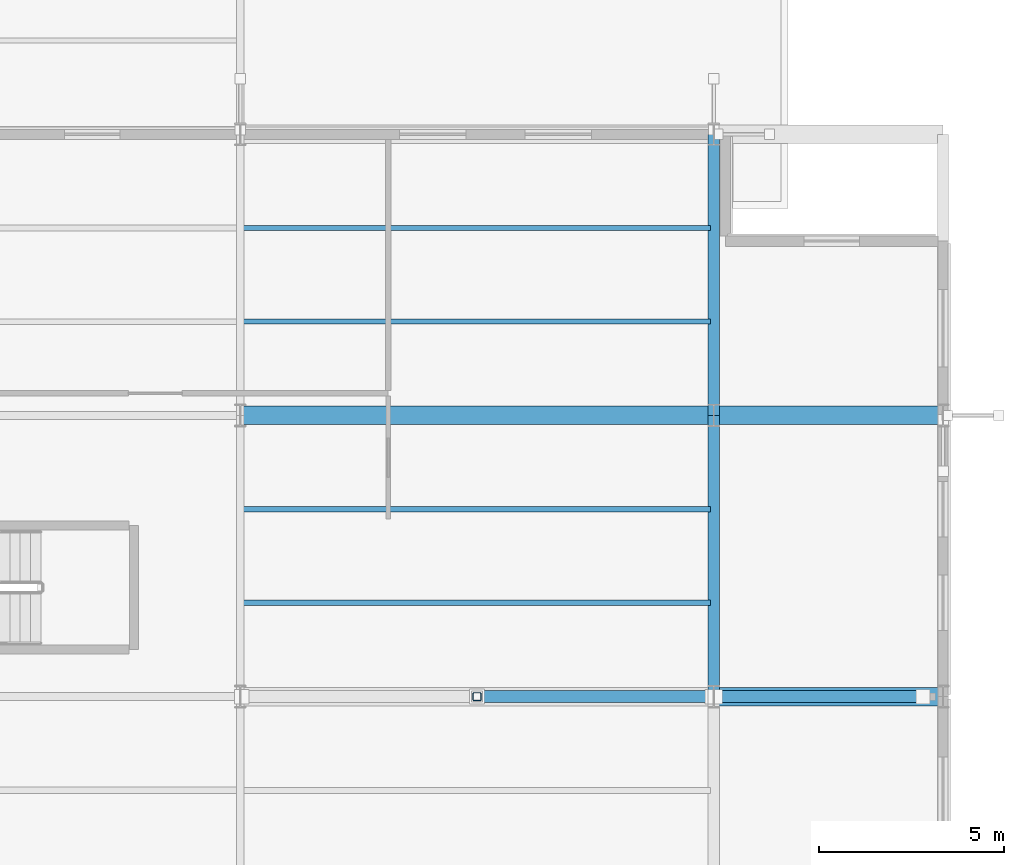
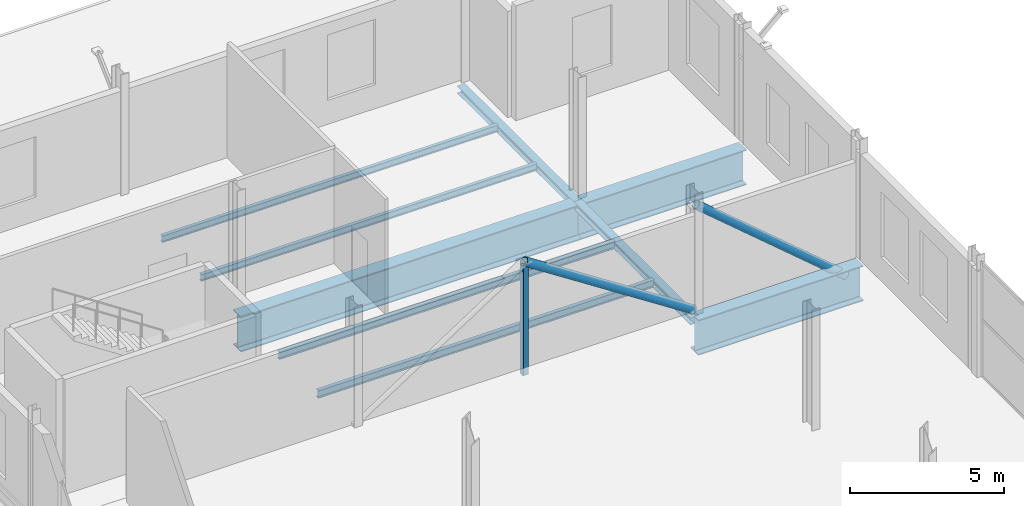
# One storey, part 73 of 120: 9 beams, 3 members.
"""IFC4 building model written with IfcOpenShell, lengths in metres."""

from ifc_helpers import new_model, si_unit, direction, frame, origin, origin_2d, place, context, subcontext, project, spatial, hollow_rectangle, hollow_circle, i_section, extrude, material, material_profile, profile_set, type_object, element, save


model = new_model("IFC4")

# Units and contexts
model_context = context("Model", 3, precision=1e-05, world=origin(), true_north=direction((0.0, 1.0)))
body_context = subcontext(model_context, "Body", "Model", "MODEL_VIEW")
ifc_project = project(units=[si_unit("LENGTHUNIT", "METRE"), si_unit("AREAUNIT", "SQUARE_METRE"), si_unit("VOLUMEUNIT", "CUBIC_METRE"), si_unit("PLANEANGLEUNIT", "RADIAN"), si_unit("MASSUNIT", "GRAM", prefix="KILO")], contexts=[model_context])

# Site, building, storey
site_placement = place(None, origin())
site = spatial("IfcSite", under=ifc_project, at=site_placement, CompositionType="ELEMENT")
building_placement = place(site_placement, origin())
building = spatial("IfcBuilding", under=site, at=building_placement, Name="Vekula Escarpment Museum", CompositionType="ELEMENT")
storey_placement = place(building_placement, frame((0.0, 0.0, 13.199951171875)))
storey = spatial("IfcBuildingStorey", under=building, at=storey_placement, Name="L03", CompositionType="ELEMENT", Elevation=13.199951171875)

# Beams
ifc_material_1 = material(Name="Steel S355", Category="steel")
ifc_material_profile_1 = material_profile(ifc_material_1, i_section(OverallWidth=0.5, OverallDepth=1.39990234375, WebThickness=0.02392578125, FlangeThickness=0.0400390625, FilletRadius=0.02392578125, at=origin_2d()), Name="WPG 1400x500")
ifc_profile_set_1 = profile_set([ifc_material_profile_1], Name="Steel S355")
beam_type_1 = type_object("IfcBeamType", Name="BM-CUMBA-GIRD", PredefinedType="BEAM", material=ifc_profile_set_1)
beam_1_placement = place(storey_placement, frame((179.0, 120.800048828125, -0.97998046875), z_axis=(1.0, 0.0, 0.0), x_axis=(0.0, 1.0, 0.0)))
element("IfcBeam", 1, at=beam_1_placement, inside=storey, type_object=beam_type_1, Name="Beam X L03 1454", PredefinedType="BEAM", context=body_context, shape_type="SweptSolid", body=[
    extrude(i_section(OverallWidth=0.5, OverallDepth=1.39990234375, WebThickness=0.02392578125, FlangeThickness=0.0400390625, FilletRadius=0.02392578125, at=origin_2d()), origin(), (0.0, 0.0, 1.0), 12.800048828125),
])
for number, where, z_axis, x_axis, name in (
    (2, (191.800048828125, 113.199951171875, -0.97998046875), (1.0, 0.0, 0.0), (0.0, 1.0, 0.0), "Cumba Cantilever Transfer Girder L03 2371"),
    (3, (191.800048828125, 120.800048828125, -0.97998046875), (1.0, 0.0, 0.0), (0.0, 1.0, 0.0), "Cumba Cantilever Transfer Girder L03 2372"),
):
    element("IfcBeam", number, at=place(storey_placement, frame(where, z_axis=z_axis, x_axis=x_axis)), inside=storey, type_object=beam_type_1, Name=name, PredefinedType="BEAM", context=body_context, shape_type="SweptSolid", body=[
        extrude(i_section(OverallWidth=0.5, OverallDepth=1.39990234375, WebThickness=0.02392578125, FlangeThickness=0.0400390625, FilletRadius=0.02392578125, at=origin_2d()), origin(), (0.0, 0.0, 1.0), 6.199951171875),
    ])
ifc_material_2 = material(Name="Steel S355", Category="steel")
ifc_material_profile_2 = material_profile(ifc_material_2, i_section(OverallWidth=0.135009765625, OverallDepth=0.27001953125, WebThickness=0.006591796875, FlangeThickness=0.01025390625, FilletRadius=0.014892578125, at=origin_2d()), Name="IPE 270")
ifc_profile_set_2 = profile_set([ifc_material_profile_2], Name="Steel S355")
beam_type_2 = type_object("IfcBeamType", Name="BM-JST-IPE270", PredefinedType="JOIST", material=ifc_profile_set_2)
for number, where, z_axis, x_axis, name in (
    (4, (179.090087890625, 123.333251953125, -0.4150390625), (1.0, 0.0, 0.0), (0.0, 1.0, 0.0), "Secondary Joist L03 1131"),
    (5, (179.090087890625, 125.86669921875, -0.4150390625), (1.0, 0.0, 0.0), (0.0, 1.0, 0.0), "Secondary Joist L03 1132"),
):
    element("IfcBeam", number, at=place(storey_placement, frame(where, z_axis=z_axis, x_axis=x_axis)), inside=storey, type_object=beam_type_2, Name=name, PredefinedType="JOIST", context=body_context, shape_type="SweptSolid", body=[
        extrude(i_section(OverallWidth=0.135009765625, OverallDepth=0.27001953125, WebThickness=0.006591796875, FlangeThickness=0.01025390625, FilletRadius=0.014892578125, at=origin_2d()), origin(), (0.0, 0.0, 1.0), 12.619873046875),
    ])
ifc_material_3 = material(Name="Steel S355", Category="steel")
ifc_material_profile_3 = material_profile(ifc_material_3, i_section(OverallWidth=0.14990234375, OverallDepth=0.300048828125, WebThickness=0.007080078125, FlangeThickness=0.0107421875, FilletRadius=0.014892578125, at=origin_2d()), Name="IPE 300")
ifc_profile_set_3 = profile_set([ifc_material_profile_3], Name="Steel S355")
beam_type_3 = type_object("IfcBeamType", Name="BM-JST-IPE300", PredefinedType="JOIST", material=ifc_profile_set_3)
for number, where, z_axis, x_axis, name in (
    (6, (179.090087890625, 115.7333984375, -0.429931640625), (1.0, 0.0, 0.0), (0.0, 1.0, 0.0), "Secondary Joist L03 1129"),
    (7, (179.090087890625, 118.2666015625, -0.429931640625), (1.0, 0.0, 0.0), (0.0, 1.0, 0.0), "Secondary Joist L03 1130"),
):
    element("IfcBeam", number, at=place(storey_placement, frame(where, z_axis=z_axis, x_axis=x_axis)), inside=storey, type_object=beam_type_3, Name=name, PredefinedType="JOIST", context=body_context, shape_type="SweptSolid", body=[
        extrude(i_section(OverallWidth=0.14990234375, OverallDepth=0.300048828125, WebThickness=0.007080078125, FlangeThickness=0.0107421875, FilletRadius=0.014892578125, at=origin_2d()), origin(), (0.0, 0.0, 1.0), 12.619873046875),
    ])
ifc_material_4 = material(Name="Steel S355", Category="steel")
ifc_material_profile_4 = material_profile(ifc_material_4, i_section(OverallWidth=0.300048828125, OverallDepth=0.2900390625, WebThickness=0.008544921875, FlangeThickness=0.013916015625, FilletRadius=0.027099609375, at=origin_2d()), Name="HEA 300")
ifc_profile_set_4 = profile_set([ifc_material_profile_4], Name="Steel S355")
beam_type_4 = type_object("IfcBeamType", Name="BM-SPAN-HEA300", PredefinedType="SPANDREL", material=ifc_profile_set_4)
beam_2_placement = place(storey_placement, frame((191.800048828125, 113.199951171875, -0.425048828125), z_axis=(0.0, 1.0, 0.0), x_axis=(-1.0, 0.0, 0.0)))
element("IfcBeam", 8, at=beam_2_placement, inside=storey, type_object=beam_type_4, Name="Beam Y L03 1681", PredefinedType="SPANDREL", context=body_context, shape_type="SweptSolid", body=[
    extrude(i_section(OverallWidth=0.300048828125, OverallDepth=0.2900390625, WebThickness=0.008544921875, FlangeThickness=0.013916015625, FilletRadius=0.027099609375, at=origin_2d()), origin(), (0.0, 0.0, 1.0), 7.60009765625),
])
beam_3_placement = place(storey_placement, frame((191.800048828125, 120.800048828125, -0.425048828125), z_axis=(0.0, 1.0, 0.0), x_axis=(-1.0, 0.0, 0.0)))
element("IfcBeam", 9, at=beam_3_placement, inside=storey, type_object=beam_type_4, Name="Beam Y L03 1682", PredefinedType="SPANDREL", context=body_context, shape_type="SweptSolid", body=[
    extrude(i_section(OverallWidth=0.300048828125, OverallDepth=0.2900390625, WebThickness=0.008544921875, FlangeThickness=0.013916015625, FilletRadius=0.027099609375, at=origin_2d()), origin(), (0.0, 0.0, 1.0), 7.599853515625),
])

# Members
ifc_material_5 = material(Name="Steel S355", Category="steel")
ifc_material_profile_5 = material_profile(ifc_material_5, hollow_rectangle(XDim=0.219970703125, YDim=0.219970703125, WallThickness=0.011962890625, InnerFilletRadius=0.011962890625, OuterFilletRadius=0.02392578125, at=origin_2d()), Name="SHS 220x220x12")
ifc_profile_set_5 = profile_set([ifc_material_profile_5], Name="Steel S355")
member_type_1 = type_object("IfcMemberType", Name="MB-POST-SHS220", PredefinedType="STRUT", material=ifc_profile_set_5)
member_1_placement = place(storey_placement, frame((185.39990234375, 113.199951171875, -0.300048828125), z_axis=(0.0, 0.0, 1.0), x_axis=(1.0, 0.0, 0.0)))
element("IfcMember", 10, at=member_1_placement, inside=storey, type_object=member_type_1, Name="Transfer Truss Post 03", PredefinedType="STRUT", context=body_context, shape_type="SweptSolid", body=[
    extrude(hollow_rectangle(XDim=0.219970703125, YDim=0.219970703125, WallThickness=0.011962890625, InnerFilletRadius=0.011962890625, OuterFilletRadius=0.02392578125, at=origin_2d()), origin(), (0.0, 0.0, 1.0), 4.4501953125),
])
ifc_material_6 = material(Name="Steel S355", Category="steel")
ifc_material_profile_6 = material_profile(ifc_material_6, hollow_circle(Radius=0.161865234375, WallThickness=0.01611328125, at=origin_2d()), Name="CHS 323.9x16")
ifc_profile_set_6 = profile_set([ifc_material_profile_6], Name="Steel S355")
member_type_2 = type_object("IfcMemberType", Name="MB-PRATT-DIAG", PredefinedType="BRACE", material=ifc_profile_set_6)
member_2_placement = place(storey_placement, frame((191.85009765625, 113.199951171875, 4.150146484375), z_axis=(0.76260256891, 0.0, -0.646867313978), x_axis=(0.0, 1.0, 0.0)))
element("IfcMember", 11, at=member_2_placement, inside=storey, type_object=member_type_2, Name="Transfer Truss Diagonal 03A", PredefinedType="BRACE", context=body_context, shape_type="SweptSolid", body=[
    extrude(hollow_circle(Radius=0.161865234375, WallThickness=0.01611328125, at=origin_2d()), origin(), (0.0, 0.0, 1.0), 7.343017578125),
])
member_3_placement = place(storey_placement, frame((185.39990234375, 113.199951171875, 4.150146484375), z_axis=(0.838288948985, 0.0, -0.545226226451), x_axis=(0.0, 1.0, 0.0)))
element("IfcMember", 12, at=member_3_placement, inside=storey, type_object=member_type_2, Name="Transfer Truss Back-Span Diagonal 03B2", PredefinedType="BRACE", context=body_context, shape_type="SweptSolid", body=[
    extrude(hollow_circle(Radius=0.161865234375, WallThickness=0.01611328125, at=origin_2d()), origin(), (0.0, 0.0, 1.0), 7.574951171875),
])

save(model, "model.ifc")
